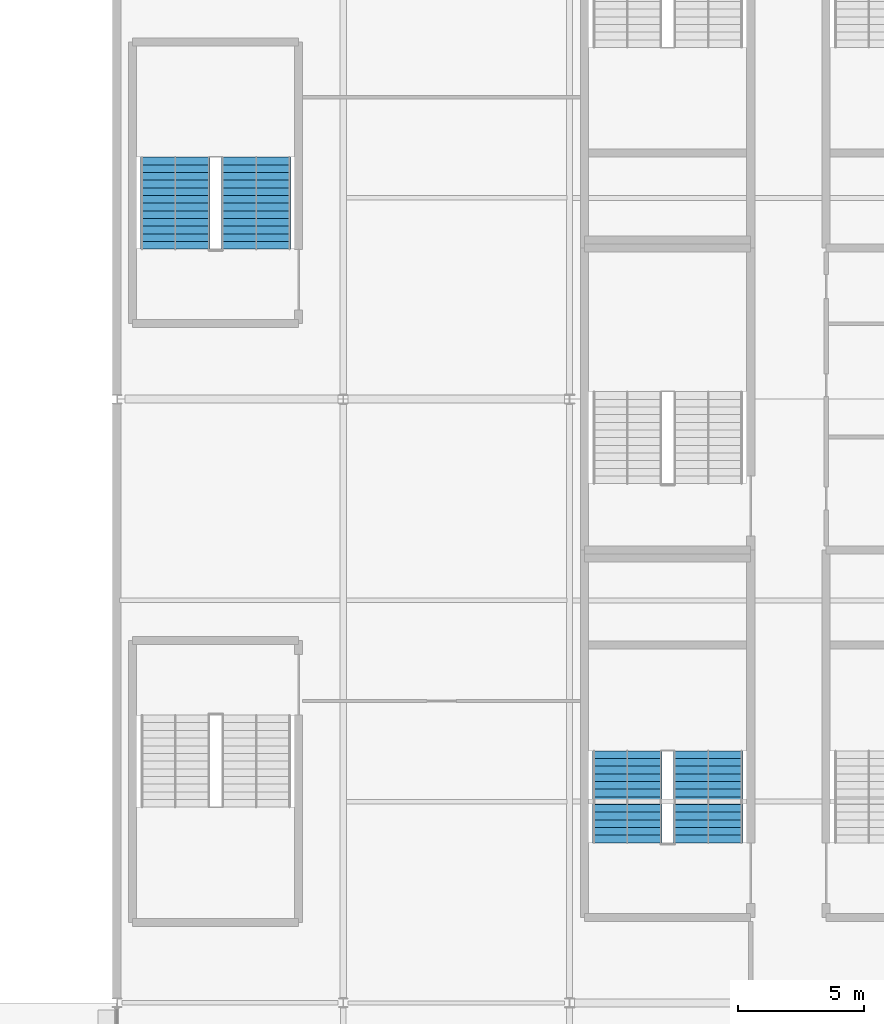
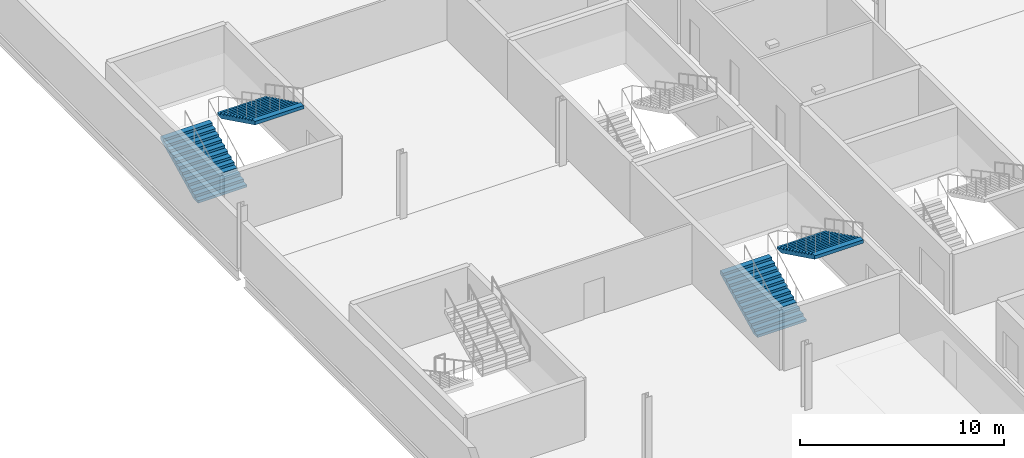
# One storey, part 93 of 105: 4 stair flights, 2 elements without a shape of their own.
"""IFC4 building model written with IfcOpenShell, lengths in metres."""

from ifc_helpers import new_model, si_unit, direction, frame, origin, place, context, subcontext, project, spatial, polygons, material, type_object, element, aggregate, save


model = new_model("IFC4")

# Units and contexts
model_context = context("Model", 3, precision=1e-05, world=origin(), true_north=direction((0.0, 1.0)))
body_context = subcontext(model_context, "Body", "Model", "MODEL_VIEW")
ifc_project = project(units=[si_unit("LENGTHUNIT", "METRE"), si_unit("AREAUNIT", "SQUARE_METRE"), si_unit("VOLUMEUNIT", "CUBIC_METRE"), si_unit("PLANEANGLEUNIT", "RADIAN"), si_unit("MASSUNIT", "GRAM", prefix="KILO")], contexts=[model_context])

# Site, building, storey
site_placement = place(None, origin())
site = spatial("IfcSite", under=ifc_project, at=site_placement, CompositionType="ELEMENT")
building_placement = place(site_placement, origin())
building = spatial("IfcBuilding", under=site, at=building_placement, Name="Kisiwana Market Hall", CompositionType="ELEMENT")
storey_placement = place(building_placement, frame((0.0, 0.0, 21.60009765625)))
storey = spatial("IfcBuildingStorey", under=building, at=storey_placement, Name="L04", CompositionType="ELEMENT", Elevation=21.60009765625)

# Stair, stair flights
ifc_material_1 = material(Name="Concrete C32/40", Category="concrete")
stair_type = type_object("IfcStairType", Name="ST-ESC-3900", PredefinedType="TWO_STRAIGHT_RUN_STAIR", material=ifc_material_1)
stair_1_placement = place(storey_placement, origin())
stair_1 = element("IfcStair", 1, at=stair_1_placement, inside=storey, type_object=stair_type, Name="Escape stair ST-E7-L04", PredefinedType="TWO_STRAIGHT_RUN_STAIR")
ifc_material_2 = material(Name="Concrete C32/40", Category="concrete")
stair_flight_type = type_object("IfcStairFlightType", Name="SF-ESC-3900", PredefinedType="STRAIGHT", material=ifc_material_2)
stair_flight_1_placement = place(storey_placement, frame((173.2900390625, 42.360107421875, 0.0), z_axis=(0.0, 0.0, 1.0), x_axis=(0.0, 1.0, 0.0)))
stair_flight_1 = element("IfcStairFlight", 2, at=stair_flight_1_placement, type_object=stair_flight_type, Name="ST-E7-L04 flight 1", NumberOfRisers=13, NumberOfTreads=12, PredefinedType="STRAIGHT", RiserHeight=0.15, TreadLength=0.305, context=body_context, shape_type="Tessellation", body=[
    polygons([(0.0, -1.380127, 0.0), (0.0, -0.690125, 0.0), (0.0, -0.000122, 0.0), (0.0, 0.68988, 0.0), (0.0, 1.379883, 0.0), (0.0, -1.380127, 0.149902), (0.0, -0.690125, 0.149902), (0.0, -0.000122, 0.149902), (0.0, 0.68988, 0.149902), (0.0, 1.379883, 0.149902), (0.304932, -1.380127, 0.149902), (0.304932, -0.690125, 0.149902), (0.304932, -0.000122, 0.149902), (0.304932, 0.68988, 0.149902), (0.304932, 1.379883, 0.149902), (0.304932, -1.380127, 0.300049), (0.304932, -0.690125, 0.300049), (0.304932, -0.000122, 0.300049), (0.304932, 0.68988, 0.300049), (0.304932, 1.379883, 0.300049), (0.610107, -1.380127, 0.300049), (0.610107, -0.690125, 0.300049), (0.610107, -0.000122, 0.300049), (0.610107, 0.68988, 0.300049), (0.610107, 1.379883, 0.300049), (0.610107, -1.380127, 0.449951), (0.610107, -0.690125, 0.449951), (0.610107, -0.000122, 0.449951), (0.610107, 0.68988, 0.449951), (0.610107, 1.379883, 0.449951), (0.915039, -1.380127, 0.449951), (0.915039, -0.690125, 0.449951), (0.915039, -0.000122, 0.449951), (0.915039, 0.68988, 0.449951), (0.915039, 1.379883, 0.449951), (0.915039, -1.380127, 0.600098), (0.915039, -0.690125, 0.600098), (0.915039, -0.000122, 0.600098), (0.915039, 0.68988, 0.600098), (0.915039, 1.379883, 0.600098), (1.219971, -1.380127, 0.600098), (1.219971, -0.690125, 0.600098), (1.219971, -0.000122, 0.600098), (1.219971, 0.68988, 0.600098), (1.219971, 1.379883, 0.600098), (1.219971, -1.380127, 0.75), (1.219971, -0.690125, 0.75), (1.219971, -0.000122, 0.75), (1.219971, 0.68988, 0.75), (1.219971, 1.379883, 0.75), (1.524902, -1.380127, 0.75), (1.524902, -0.690125, 0.75), (1.524902, -0.000122, 0.75), (1.524902, 0.68988, 0.75), (1.524902, 1.379883, 0.75), (1.524902, -1.380127, 0.899902), (1.524902, -0.690125, 0.899902), (1.524902, -0.000122, 0.899902), (1.524902, 0.68988, 0.899902), (1.524902, 1.379883, 0.899902), (1.830078, -1.380127, 0.899902), (1.830078, -0.690125, 0.899902), (1.830078, -0.000122, 0.899902), (1.830078, 0.68988, 0.899902), (1.830078, 1.379883, 0.899902), (1.830078, -1.380127, 1.050049), (1.830078, -0.690125, 1.050049), (1.830078, -0.000122, 1.050049), (1.830078, 0.68988, 1.050049), (1.830078, 1.379883, 1.050049), (2.13501, -1.380127, 1.050049), (2.13501, -0.690125, 1.050049), (2.13501, -0.000122, 1.050049), (2.13501, 0.68988, 1.050049), (2.13501, 1.379883, 1.050049), (2.13501, -1.380127, 1.199951), (2.13501, -0.690125, 1.199951), (2.13501, -0.000122, 1.199951), (2.13501, 0.68988, 1.199951), (2.13501, 1.379883, 1.199951), (2.439941, -1.380127, 1.199951), (2.439941, -0.690125, 1.199951), (2.439941, -0.000122, 1.199951), (2.439941, 0.68988, 1.199951), (2.439941, 1.379883, 1.199951), (2.439941, -1.380127, 1.350098), (2.439941, -0.690125, 1.350098), (2.439941, -0.000122, 1.350098), (2.439941, 0.68988, 1.350098), (2.439941, 1.379883, 1.350098), (2.745117, -1.380127, 1.350098), (2.745117, -0.690125, 1.350098), (2.745117, -0.000122, 1.350098), (2.745117, 0.68988, 1.350098), (2.745117, 1.379883, 1.350098), (2.745117, -1.380127, 1.5), (2.745117, -0.690125, 1.5), (2.745117, -0.000122, 1.5), (2.745117, 0.68988, 1.5), (2.745117, 1.379883, 1.5), (3.050049, -1.380127, 1.5), (3.050049, -0.690125, 1.5), (3.050049, -0.000122, 1.5), (3.050049, 0.68988, 1.5), (3.050049, 1.379883, 1.5), (3.050049, -1.380127, 1.649902), (3.050049, -0.690125, 1.649902), (3.050049, -0.000122, 1.649902), (3.050049, 0.68988, 1.649902), (3.050049, 1.379883, 1.649902), (3.35498, -1.380127, 1.649902), (3.35498, -0.690125, 1.649902), (3.35498, -0.000122, 1.649902), (3.35498, 0.68988, 1.649902), (3.35498, 1.379883, 1.649902), (3.35498, -1.380127, 1.800049), (3.35498, -0.690125, 1.800049), (3.35498, -0.000122, 1.800049), (3.35498, 0.68988, 1.800049), (3.35498, 1.379883, 1.800049), (3.659912, -1.380127, 1.800049), (3.659912, -0.690125, 1.800049), (3.659912, -0.000122, 1.800049), (3.659912, 0.68988, 1.800049), (3.659912, 1.379883, 1.800049), (3.659912, -1.380127, 1.599365), (3.659912, -0.690125, 1.599365), (3.659912, -0.000122, 1.599365), (3.659912, 0.68988, 1.599365), (3.659912, 1.379883, 1.599365), (0.407715, -1.380127, 0.0), (0.407715, -0.690125, 0.0), (0.407715, -0.000122, 0.0), (0.407715, 0.68988, 0.0), (0.407715, 1.379883, 0.0)], [[[1, 6, 7, 2]], [[2, 7, 8, 3]], [[3, 8, 9, 4]], [[4, 9, 10, 5]], [[6, 11, 12, 7]], [[7, 12, 13, 8]], [[8, 13, 14, 9]], [[9, 14, 15, 10]], [[11, 16, 17, 12]], [[12, 17, 18, 13]], [[13, 18, 19, 14]], [[14, 19, 20, 15]], [[16, 21, 22, 17]], [[17, 22, 23, 18]], [[18, 23, 24, 19]], [[19, 24, 25, 20]], [[21, 26, 27, 22]], [[22, 27, 28, 23]], [[23, 28, 29, 24]], [[24, 29, 30, 25]], [[26, 31, 32, 27]], [[27, 32, 33, 28]], [[28, 33, 34, 29]], [[29, 34, 35, 30]], [[31, 36, 37, 32]], [[32, 37, 38, 33]], [[33, 38, 39, 34]], [[34, 39, 40, 35]], [[36, 41, 42, 37]], [[37, 42, 43, 38]], [[38, 43, 44, 39]], [[39, 44, 45, 40]], [[41, 46, 47, 42]], [[42, 47, 48, 43]], [[43, 48, 49, 44]], [[44, 49, 50, 45]], [[46, 51, 52, 47]], [[47, 52, 53, 48]], [[48, 53, 54, 49]], [[49, 54, 55, 50]], [[51, 56, 57, 52]], [[52, 57, 58, 53]], [[53, 58, 59, 54]], [[54, 59, 60, 55]], [[56, 61, 62, 57]], [[57, 62, 63, 58]], [[58, 63, 64, 59]], [[59, 64, 65, 60]], [[61, 66, 67, 62]], [[62, 67, 68, 63]], [[63, 68, 69, 64]], [[64, 69, 70, 65]], [[66, 71, 72, 67]], [[67, 72, 73, 68]], [[68, 73, 74, 69]], [[69, 74, 75, 70]], [[71, 76, 77, 72]], [[72, 77, 78, 73]], [[73, 78, 79, 74]], [[74, 79, 80, 75]], [[76, 81, 82, 77]], [[77, 82, 83, 78]], [[78, 83, 84, 79]], [[79, 84, 85, 80]], [[81, 86, 87, 82]], [[82, 87, 88, 83]], [[83, 88, 89, 84]], [[84, 89, 90, 85]], [[86, 91, 92, 87]], [[87, 92, 93, 88]], [[88, 93, 94, 89]], [[89, 94, 95, 90]], [[91, 96, 97, 92]], [[92, 97, 98, 93]], [[93, 98, 99, 94]], [[94, 99, 100, 95]], [[96, 101, 102, 97]], [[97, 102, 103, 98]], [[98, 103, 104, 99]], [[99, 104, 105, 100]], [[101, 106, 107, 102]], [[102, 107, 108, 103]], [[103, 108, 109, 104]], [[104, 109, 110, 105]], [[106, 111, 112, 107]], [[107, 112, 113, 108]], [[108, 113, 114, 109]], [[109, 114, 115, 110]], [[111, 116, 117, 112]], [[112, 117, 118, 113]], [[113, 118, 119, 114]], [[114, 119, 120, 115]], [[116, 121, 122, 117]], [[117, 122, 123, 118]], [[118, 123, 124, 119]], [[119, 124, 125, 120]], [[121, 126, 127, 122]], [[122, 127, 128, 123]], [[123, 128, 129, 124]], [[124, 129, 130, 125]], [[126, 131, 132, 127]], [[127, 132, 133, 128]], [[128, 133, 134, 129]], [[129, 134, 135, 130]], [[131, 1, 2, 132]], [[132, 2, 3, 133]], [[133, 3, 4, 134]], [[134, 4, 5, 135]], [[131, 126, 121, 116, 111, 106, 101, 96, 91, 86, 81, 76, 71, 66, 61, 56, 51, 46, 41, 36, 31, 26, 21, 16, 11, 6, 1]], [[5, 10, 15, 20, 25, 30, 35, 40, 45, 50, 55, 60, 65, 70, 75, 80, 85, 90, 95, 100, 105, 110, 115, 120, 125, 130, 135]]], closed=True),
])
stair_flight_2_placement = place(storey_placement, frame((176.510009765625, 46.02001953125, 1.949951171875), z_axis=(0.0, 0.0, 1.0), x_axis=(0.0, -1.0, 0.0)))
stair_flight_2 = element("IfcStairFlight", 3, at=stair_flight_2_placement, type_object=stair_flight_type, Name="ST-E7-L04 flight 2", NumberOfRisers=13, NumberOfTreads=12, PredefinedType="STRAIGHT", RiserHeight=0.15, TreadLength=0.305, context=body_context, shape_type="Tessellation", body=[
    polygons([(0.0, -1.380127, 0.0), (0.0, -0.690125, 0.0), (0.0, -0.000122, 0.0), (0.0, 0.68988, 0.0), (0.0, 1.379883, 0.0), (0.0, -1.380127, 0.149902), (0.0, -0.690125, 0.149902), (0.0, -0.000122, 0.149902), (0.0, 0.68988, 0.149902), (0.0, 1.379883, 0.149902), (0.304932, -1.380127, 0.149902), (0.304932, -0.690125, 0.149902), (0.304932, -0.000122, 0.149902), (0.304932, 0.68988, 0.149902), (0.304932, 1.379883, 0.149902), (0.304932, -1.380127, 0.300049), (0.304932, -0.690125, 0.300049), (0.304932, -0.000122, 0.300049), (0.304932, 0.68988, 0.300049), (0.304932, 1.379883, 0.300049), (0.610107, -1.380127, 0.300049), (0.610107, -0.690125, 0.300049), (0.610107, -0.000122, 0.300049), (0.610107, 0.68988, 0.300049), (0.610107, 1.379883, 0.300049), (0.610107, -1.380127, 0.449951), (0.610107, -0.690125, 0.449951), (0.610107, -0.000122, 0.449951), (0.610107, 0.68988, 0.449951), (0.610107, 1.379883, 0.449951), (0.915039, -1.380127, 0.449951), (0.915039, -0.690125, 0.449951), (0.915039, -0.000122, 0.449951), (0.915039, 0.68988, 0.449951), (0.915039, 1.379883, 0.449951), (0.915039, -1.380127, 0.600098), (0.915039, -0.690125, 0.600098), (0.915039, -0.000122, 0.600098), (0.915039, 0.68988, 0.600098), (0.915039, 1.379883, 0.600098), (1.219971, -1.380127, 0.600098), (1.219971, -0.690125, 0.600098), (1.219971, -0.000122, 0.600098), (1.219971, 0.68988, 0.600098), (1.219971, 1.379883, 0.600098), (1.219971, -1.380127, 0.75), (1.219971, -0.690125, 0.75), (1.219971, -0.000122, 0.75), (1.219971, 0.68988, 0.75), (1.219971, 1.379883, 0.75), (1.524902, -1.380127, 0.75), (1.524902, -0.690125, 0.75), (1.524902, -0.000122, 0.75), (1.524902, 0.68988, 0.75), (1.524902, 1.379883, 0.75), (1.524902, -1.380127, 0.899902), (1.524902, -0.690125, 0.899902), (1.524902, -0.000122, 0.899902), (1.524902, 0.68988, 0.899902), (1.524902, 1.379883, 0.899902), (1.830078, -1.380127, 0.899902), (1.830078, -0.690125, 0.899902), (1.830078, -0.000122, 0.899902), (1.830078, 0.68988, 0.899902), (1.830078, 1.379883, 0.899902), (1.830078, -1.380127, 1.050049), (1.830078, -0.690125, 1.050049), (1.830078, -0.000122, 1.050049), (1.830078, 0.68988, 1.050049), (1.830078, 1.379883, 1.050049), (2.13501, -1.380127, 1.050049), (2.13501, -0.690125, 1.050049), (2.13501, -0.000122, 1.050049), (2.13501, 0.68988, 1.050049), (2.13501, 1.379883, 1.050049), (2.13501, -1.380127, 1.199951), (2.13501, -0.690125, 1.199951), (2.13501, -0.000122, 1.199951), (2.13501, 0.68988, 1.199951), (2.13501, 1.379883, 1.199951), (2.439941, -1.380127, 1.199951), (2.439941, -0.690125, 1.199951), (2.439941, -0.000122, 1.199951), (2.439941, 0.68988, 1.199951), (2.439941, 1.379883, 1.199951), (2.439941, -1.380127, 1.350098), (2.439941, -0.690125, 1.350098), (2.439941, -0.000122, 1.350098), (2.439941, 0.68988, 1.350098), (2.439941, 1.379883, 1.350098), (2.745117, -1.380127, 1.350098), (2.745117, -0.690125, 1.350098), (2.745117, -0.000122, 1.350098), (2.745117, 0.68988, 1.350098), (2.745117, 1.379883, 1.350098), (2.745117, -1.380127, 1.5), (2.745117, -0.690125, 1.5), (2.745117, -0.000122, 1.5), (2.745117, 0.68988, 1.5), (2.745117, 1.379883, 1.5), (3.050049, -1.380127, 1.5), (3.050049, -0.690125, 1.5), (3.050049, -0.000122, 1.5), (3.050049, 0.68988, 1.5), (3.050049, 1.379883, 1.5), (3.050049, -1.380127, 1.649902), (3.050049, -0.690125, 1.649902), (3.050049, -0.000122, 1.649902), (3.050049, 0.68988, 1.649902), (3.050049, 1.379883, 1.649902), (3.35498, -1.380127, 1.649902), (3.35498, -0.690125, 1.649902), (3.35498, -0.000122, 1.649902), (3.35498, 0.68988, 1.649902), (3.35498, 1.379883, 1.649902), (3.35498, -1.380127, 1.800049), (3.35498, -0.690125, 1.800049), (3.35498, -0.000122, 1.800049), (3.35498, 0.68988, 1.800049), (3.35498, 1.379883, 1.800049), (3.659912, -1.380127, 1.800049), (3.659912, -0.690125, 1.800049), (3.659912, -0.000122, 1.800049), (3.659912, 0.68988, 1.800049), (3.659912, 1.379883, 1.800049), (3.659912, -1.380127, 1.599365), (3.659912, -0.690125, 1.599365), (3.659912, -0.000122, 1.599365), (3.659912, 0.68988, 1.599365), (3.659912, 1.379883, 1.599365), (0.407715, -1.380127, 0.0), (0.407715, -0.690125, 0.0), (0.407715, -0.000122, 0.0), (0.407715, 0.68988, 0.0), (0.407715, 1.379883, 0.0)], [[[1, 6, 7, 2]], [[2, 7, 8, 3]], [[3, 8, 9, 4]], [[4, 9, 10, 5]], [[6, 11, 12, 7]], [[7, 12, 13, 8]], [[8, 13, 14, 9]], [[9, 14, 15, 10]], [[11, 16, 17, 12]], [[12, 17, 18, 13]], [[13, 18, 19, 14]], [[14, 19, 20, 15]], [[16, 21, 22, 17]], [[17, 22, 23, 18]], [[18, 23, 24, 19]], [[19, 24, 25, 20]], [[21, 26, 27, 22]], [[22, 27, 28, 23]], [[23, 28, 29, 24]], [[24, 29, 30, 25]], [[26, 31, 32, 27]], [[27, 32, 33, 28]], [[28, 33, 34, 29]], [[29, 34, 35, 30]], [[31, 36, 37, 32]], [[32, 37, 38, 33]], [[33, 38, 39, 34]], [[34, 39, 40, 35]], [[36, 41, 42, 37]], [[37, 42, 43, 38]], [[38, 43, 44, 39]], [[39, 44, 45, 40]], [[41, 46, 47, 42]], [[42, 47, 48, 43]], [[43, 48, 49, 44]], [[44, 49, 50, 45]], [[46, 51, 52, 47]], [[47, 52, 53, 48]], [[48, 53, 54, 49]], [[49, 54, 55, 50]], [[51, 56, 57, 52]], [[52, 57, 58, 53]], [[53, 58, 59, 54]], [[54, 59, 60, 55]], [[56, 61, 62, 57]], [[57, 62, 63, 58]], [[58, 63, 64, 59]], [[59, 64, 65, 60]], [[61, 66, 67, 62]], [[62, 67, 68, 63]], [[63, 68, 69, 64]], [[64, 69, 70, 65]], [[66, 71, 72, 67]], [[67, 72, 73, 68]], [[68, 73, 74, 69]], [[69, 74, 75, 70]], [[71, 76, 77, 72]], [[72, 77, 78, 73]], [[73, 78, 79, 74]], [[74, 79, 80, 75]], [[76, 81, 82, 77]], [[77, 82, 83, 78]], [[78, 83, 84, 79]], [[79, 84, 85, 80]], [[81, 86, 87, 82]], [[82, 87, 88, 83]], [[83, 88, 89, 84]], [[84, 89, 90, 85]], [[86, 91, 92, 87]], [[87, 92, 93, 88]], [[88, 93, 94, 89]], [[89, 94, 95, 90]], [[91, 96, 97, 92]], [[92, 97, 98, 93]], [[93, 98, 99, 94]], [[94, 99, 100, 95]], [[96, 101, 102, 97]], [[97, 102, 103, 98]], [[98, 103, 104, 99]], [[99, 104, 105, 100]], [[101, 106, 107, 102]], [[102, 107, 108, 103]], [[103, 108, 109, 104]], [[104, 109, 110, 105]], [[106, 111, 112, 107]], [[107, 112, 113, 108]], [[108, 113, 114, 109]], [[109, 114, 115, 110]], [[111, 116, 117, 112]], [[112, 117, 118, 113]], [[113, 118, 119, 114]], [[114, 119, 120, 115]], [[116, 121, 122, 117]], [[117, 122, 123, 118]], [[118, 123, 124, 119]], [[119, 124, 125, 120]], [[121, 126, 127, 122]], [[122, 127, 128, 123]], [[123, 128, 129, 124]], [[124, 129, 130, 125]], [[126, 131, 132, 127]], [[127, 132, 133, 128]], [[128, 133, 134, 129]], [[129, 134, 135, 130]], [[131, 1, 2, 132]], [[132, 2, 3, 133]], [[133, 3, 4, 134]], [[134, 4, 5, 135]], [[131, 126, 121, 116, 111, 106, 101, 96, 91, 86, 81, 76, 71, 66, 61, 56, 51, 46, 41, 36, 31, 26, 21, 16, 11, 6, 1]], [[5, 10, 15, 20, 25, 30, 35, 40, 45, 50, 55, 60, 65, 70, 75, 80, 85, 90, 95, 100, 105, 110, 115, 120, 125, 130, 135]]], closed=True),
])
aggregate(stair_1, [stair_flight_1, stair_flight_2])

stair_2_placement = place(storey_placement, origin())
stair_2 = element("IfcStair", 4, at=stair_2_placement, inside=storey, type_object=stair_type, Name="Escape stair ST-E10-L04", PredefinedType="TWO_STRAIGHT_RUN_STAIR")
stair_flight_3_placement = place(storey_placement, frame((155.320068359375, 65.9599609375, 0.0), z_axis=(0.0, 0.0, 1.0), x_axis=(0.0, 1.0, 0.0)))
stair_flight_3 = element("IfcStairFlight", 5, at=stair_flight_3_placement, type_object=stair_flight_type, Name="ST-E10-L04 flight 1", NumberOfRisers=13, NumberOfTreads=12, PredefinedType="STRAIGHT", RiserHeight=0.15, TreadLength=0.305, context=body_context, shape_type="Tessellation", body=[
    polygons([(0.0, -1.380127, 0.0), (0.0, -0.690125, 0.0), (0.0, -0.000122, 0.0), (0.0, 0.68988, 0.0), (0.0, 1.379883, 0.0), (0.0, -1.380127, 0.149902), (0.0, -0.690125, 0.149902), (0.0, -0.000122, 0.149902), (0.0, 0.68988, 0.149902), (0.0, 1.379883, 0.149902), (0.304932, -1.380127, 0.149902), (0.304932, -0.690125, 0.149902), (0.304932, -0.000122, 0.149902), (0.304932, 0.68988, 0.149902), (0.304932, 1.379883, 0.149902), (0.304932, -1.380127, 0.300049), (0.304932, -0.690125, 0.300049), (0.304932, -0.000122, 0.300049), (0.304932, 0.68988, 0.300049), (0.304932, 1.379883, 0.300049), (0.610107, -1.380127, 0.300049), (0.610107, -0.690125, 0.300049), (0.610107, -0.000122, 0.300049), (0.610107, 0.68988, 0.300049), (0.610107, 1.379883, 0.300049), (0.610107, -1.380127, 0.449951), (0.610107, -0.690125, 0.449951), (0.610107, -0.000122, 0.449951), (0.610107, 0.68988, 0.449951), (0.610107, 1.379883, 0.449951), (0.915039, -1.380127, 0.449951), (0.915039, -0.690125, 0.449951), (0.915039, -0.000122, 0.449951), (0.915039, 0.68988, 0.449951), (0.915039, 1.379883, 0.449951), (0.915039, -1.380127, 0.600098), (0.915039, -0.690125, 0.600098), (0.915039, -0.000122, 0.600098), (0.915039, 0.68988, 0.600098), (0.915039, 1.379883, 0.600098), (1.219971, -1.380127, 0.600098), (1.219971, -0.690125, 0.600098), (1.219971, -0.000122, 0.600098), (1.219971, 0.68988, 0.600098), (1.219971, 1.379883, 0.600098), (1.219971, -1.380127, 0.75), (1.219971, -0.690125, 0.75), (1.219971, -0.000122, 0.75), (1.219971, 0.68988, 0.75), (1.219971, 1.379883, 0.75), (1.524902, -1.380127, 0.75), (1.524902, -0.690125, 0.75), (1.524902, -0.000122, 0.75), (1.524902, 0.68988, 0.75), (1.524902, 1.379883, 0.75), (1.524902, -1.380127, 0.899902), (1.524902, -0.690125, 0.899902), (1.524902, -0.000122, 0.899902), (1.524902, 0.68988, 0.899902), (1.524902, 1.379883, 0.899902), (1.830078, -1.380127, 0.899902), (1.830078, -0.690125, 0.899902), (1.830078, -0.000122, 0.899902), (1.830078, 0.68988, 0.899902), (1.830078, 1.379883, 0.899902), (1.830078, -1.380127, 1.050049), (1.830078, -0.690125, 1.050049), (1.830078, -0.000122, 1.050049), (1.830078, 0.68988, 1.050049), (1.830078, 1.379883, 1.050049), (2.13501, -1.380127, 1.050049), (2.13501, -0.690125, 1.050049), (2.13501, -0.000122, 1.050049), (2.13501, 0.68988, 1.050049), (2.13501, 1.379883, 1.050049), (2.13501, -1.380127, 1.199951), (2.13501, -0.690125, 1.199951), (2.13501, -0.000122, 1.199951), (2.13501, 0.68988, 1.199951), (2.13501, 1.379883, 1.199951), (2.439941, -1.380127, 1.199951), (2.439941, -0.690125, 1.199951), (2.439941, -0.000122, 1.199951), (2.439941, 0.68988, 1.199951), (2.439941, 1.379883, 1.199951), (2.439941, -1.380127, 1.350098), (2.439941, -0.690125, 1.350098), (2.439941, -0.000122, 1.350098), (2.439941, 0.68988, 1.350098), (2.439941, 1.379883, 1.350098), (2.745117, -1.380127, 1.350098), (2.745117, -0.690125, 1.350098), (2.745117, -0.000122, 1.350098), (2.745117, 0.68988, 1.350098), (2.745117, 1.379883, 1.350098), (2.745117, -1.380127, 1.5), (2.745117, -0.690125, 1.5), (2.745117, -0.000122, 1.5), (2.745117, 0.68988, 1.5), (2.745117, 1.379883, 1.5), (3.050049, -1.380127, 1.5), (3.050049, -0.690125, 1.5), (3.050049, -0.000122, 1.5), (3.050049, 0.68988, 1.5), (3.050049, 1.379883, 1.5), (3.050049, -1.380127, 1.649902), (3.050049, -0.690125, 1.649902), (3.050049, -0.000122, 1.649902), (3.050049, 0.68988, 1.649902), (3.050049, 1.379883, 1.649902), (3.35498, -1.380127, 1.649902), (3.35498, -0.690125, 1.649902), (3.35498, -0.000122, 1.649902), (3.35498, 0.68988, 1.649902), (3.35498, 1.379883, 1.649902), (3.35498, -1.380127, 1.800049), (3.35498, -0.690125, 1.800049), (3.35498, -0.000122, 1.800049), (3.35498, 0.68988, 1.800049), (3.35498, 1.379883, 1.800049), (3.659912, -1.380127, 1.800049), (3.659912, -0.690125, 1.800049), (3.659912, -0.000122, 1.800049), (3.659912, 0.68988, 1.800049), (3.659912, 1.379883, 1.800049), (3.659912, -1.380127, 1.599365), (3.659912, -0.690125, 1.599365), (3.659912, -0.000122, 1.599365), (3.659912, 0.68988, 1.599365), (3.659912, 1.379883, 1.599365), (0.407715, -1.380127, 0.0), (0.407715, -0.690125, 0.0), (0.407715, -0.000122, 0.0), (0.407715, 0.68988, 0.0), (0.407715, 1.379883, 0.0)], [[[1, 6, 7, 2]], [[2, 7, 8, 3]], [[3, 8, 9, 4]], [[4, 9, 10, 5]], [[6, 11, 12, 7]], [[7, 12, 13, 8]], [[8, 13, 14, 9]], [[9, 14, 15, 10]], [[11, 16, 17, 12]], [[12, 17, 18, 13]], [[13, 18, 19, 14]], [[14, 19, 20, 15]], [[16, 21, 22, 17]], [[17, 22, 23, 18]], [[18, 23, 24, 19]], [[19, 24, 25, 20]], [[21, 26, 27, 22]], [[22, 27, 28, 23]], [[23, 28, 29, 24]], [[24, 29, 30, 25]], [[26, 31, 32, 27]], [[27, 32, 33, 28]], [[28, 33, 34, 29]], [[29, 34, 35, 30]], [[31, 36, 37, 32]], [[32, 37, 38, 33]], [[33, 38, 39, 34]], [[34, 39, 40, 35]], [[36, 41, 42, 37]], [[37, 42, 43, 38]], [[38, 43, 44, 39]], [[39, 44, 45, 40]], [[41, 46, 47, 42]], [[42, 47, 48, 43]], [[43, 48, 49, 44]], [[44, 49, 50, 45]], [[46, 51, 52, 47]], [[47, 52, 53, 48]], [[48, 53, 54, 49]], [[49, 54, 55, 50]], [[51, 56, 57, 52]], [[52, 57, 58, 53]], [[53, 58, 59, 54]], [[54, 59, 60, 55]], [[56, 61, 62, 57]], [[57, 62, 63, 58]], [[58, 63, 64, 59]], [[59, 64, 65, 60]], [[61, 66, 67, 62]], [[62, 67, 68, 63]], [[63, 68, 69, 64]], [[64, 69, 70, 65]], [[66, 71, 72, 67]], [[67, 72, 73, 68]], [[68, 73, 74, 69]], [[69, 74, 75, 70]], [[71, 76, 77, 72]], [[72, 77, 78, 73]], [[73, 78, 79, 74]], [[74, 79, 80, 75]], [[76, 81, 82, 77]], [[77, 82, 83, 78]], [[78, 83, 84, 79]], [[79, 84, 85, 80]], [[81, 86, 87, 82]], [[82, 87, 88, 83]], [[83, 88, 89, 84]], [[84, 89, 90, 85]], [[86, 91, 92, 87]], [[87, 92, 93, 88]], [[88, 93, 94, 89]], [[89, 94, 95, 90]], [[91, 96, 97, 92]], [[92, 97, 98, 93]], [[93, 98, 99, 94]], [[94, 99, 100, 95]], [[96, 101, 102, 97]], [[97, 102, 103, 98]], [[98, 103, 104, 99]], [[99, 104, 105, 100]], [[101, 106, 107, 102]], [[102, 107, 108, 103]], [[103, 108, 109, 104]], [[104, 109, 110, 105]], [[106, 111, 112, 107]], [[107, 112, 113, 108]], [[108, 113, 114, 109]], [[109, 114, 115, 110]], [[111, 116, 117, 112]], [[112, 117, 118, 113]], [[113, 118, 119, 114]], [[114, 119, 120, 115]], [[116, 121, 122, 117]], [[117, 122, 123, 118]], [[118, 123, 124, 119]], [[119, 124, 125, 120]], [[121, 126, 127, 122]], [[122, 127, 128, 123]], [[123, 128, 129, 124]], [[124, 129, 130, 125]], [[126, 131, 132, 127]], [[127, 132, 133, 128]], [[128, 133, 134, 129]], [[129, 134, 135, 130]], [[131, 1, 2, 132]], [[132, 2, 3, 133]], [[133, 3, 4, 134]], [[134, 4, 5, 135]], [[131, 126, 121, 116, 111, 106, 101, 96, 91, 86, 81, 76, 71, 66, 61, 56, 51, 46, 41, 36, 31, 26, 21, 16, 11, 6, 1]], [[5, 10, 15, 20, 25, 30, 35, 40, 45, 50, 55, 60, 65, 70, 75, 80, 85, 90, 95, 100, 105, 110, 115, 120, 125, 130, 135]]], closed=True),
])
stair_flight_4_placement = place(storey_placement, frame((158.5400390625, 69.6201171875, 1.949951171875), z_axis=(0.0, 0.0, 1.0), x_axis=(0.0, -1.0, 0.0)))
stair_flight_4 = element("IfcStairFlight", 6, at=stair_flight_4_placement, type_object=stair_flight_type, Name="ST-E10-L04 flight 2", NumberOfRisers=13, NumberOfTreads=12, PredefinedType="STRAIGHT", RiserHeight=0.15, TreadLength=0.305, context=body_context, shape_type="Tessellation", body=[
    polygons([(0.0, -1.380127, 0.0), (0.0, -0.690125, 0.0), (0.0, -0.000122, 0.0), (0.0, 0.68988, 0.0), (0.0, 1.379883, 0.0), (0.0, -1.380127, 0.149902), (0.0, -0.690125, 0.149902), (0.0, -0.000122, 0.149902), (0.0, 0.68988, 0.149902), (0.0, 1.379883, 0.149902), (0.304932, -1.380127, 0.149902), (0.304932, -0.690125, 0.149902), (0.304932, -0.000122, 0.149902), (0.304932, 0.68988, 0.149902), (0.304932, 1.379883, 0.149902), (0.304932, -1.380127, 0.300049), (0.304932, -0.690125, 0.300049), (0.304932, -0.000122, 0.300049), (0.304932, 0.68988, 0.300049), (0.304932, 1.379883, 0.300049), (0.610107, -1.380127, 0.300049), (0.610107, -0.690125, 0.300049), (0.610107, -0.000122, 0.300049), (0.610107, 0.68988, 0.300049), (0.610107, 1.379883, 0.300049), (0.610107, -1.380127, 0.449951), (0.610107, -0.690125, 0.449951), (0.610107, -0.000122, 0.449951), (0.610107, 0.68988, 0.449951), (0.610107, 1.379883, 0.449951), (0.915039, -1.380127, 0.449951), (0.915039, -0.690125, 0.449951), (0.915039, -0.000122, 0.449951), (0.915039, 0.68988, 0.449951), (0.915039, 1.379883, 0.449951), (0.915039, -1.380127, 0.600098), (0.915039, -0.690125, 0.600098), (0.915039, -0.000122, 0.600098), (0.915039, 0.68988, 0.600098), (0.915039, 1.379883, 0.600098), (1.219971, -1.380127, 0.600098), (1.219971, -0.690125, 0.600098), (1.219971, -0.000122, 0.600098), (1.219971, 0.68988, 0.600098), (1.219971, 1.379883, 0.600098), (1.219971, -1.380127, 0.75), (1.219971, -0.690125, 0.75), (1.219971, -0.000122, 0.75), (1.219971, 0.68988, 0.75), (1.219971, 1.379883, 0.75), (1.524902, -1.380127, 0.75), (1.524902, -0.690125, 0.75), (1.524902, -0.000122, 0.75), (1.524902, 0.68988, 0.75), (1.524902, 1.379883, 0.75), (1.524902, -1.380127, 0.899902), (1.524902, -0.690125, 0.899902), (1.524902, -0.000122, 0.899902), (1.524902, 0.68988, 0.899902), (1.524902, 1.379883, 0.899902), (1.830078, -1.380127, 0.899902), (1.830078, -0.690125, 0.899902), (1.830078, -0.000122, 0.899902), (1.830078, 0.68988, 0.899902), (1.830078, 1.379883, 0.899902), (1.830078, -1.380127, 1.050049), (1.830078, -0.690125, 1.050049), (1.830078, -0.000122, 1.050049), (1.830078, 0.68988, 1.050049), (1.830078, 1.379883, 1.050049), (2.13501, -1.380127, 1.050049), (2.13501, -0.690125, 1.050049), (2.13501, -0.000122, 1.050049), (2.13501, 0.68988, 1.050049), (2.13501, 1.379883, 1.050049), (2.13501, -1.380127, 1.199951), (2.13501, -0.690125, 1.199951), (2.13501, -0.000122, 1.199951), (2.13501, 0.68988, 1.199951), (2.13501, 1.379883, 1.199951), (2.439941, -1.380127, 1.199951), (2.439941, -0.690125, 1.199951), (2.439941, -0.000122, 1.199951), (2.439941, 0.68988, 1.199951), (2.439941, 1.379883, 1.199951), (2.439941, -1.380127, 1.350098), (2.439941, -0.690125, 1.350098), (2.439941, -0.000122, 1.350098), (2.439941, 0.68988, 1.350098), (2.439941, 1.379883, 1.350098), (2.745117, -1.380127, 1.350098), (2.745117, -0.690125, 1.350098), (2.745117, -0.000122, 1.350098), (2.745117, 0.68988, 1.350098), (2.745117, 1.379883, 1.350098), (2.745117, -1.380127, 1.5), (2.745117, -0.690125, 1.5), (2.745117, -0.000122, 1.5), (2.745117, 0.68988, 1.5), (2.745117, 1.379883, 1.5), (3.050049, -1.380127, 1.5), (3.050049, -0.690125, 1.5), (3.050049, -0.000122, 1.5), (3.050049, 0.68988, 1.5), (3.050049, 1.379883, 1.5), (3.050049, -1.380127, 1.649902), (3.050049, -0.690125, 1.649902), (3.050049, -0.000122, 1.649902), (3.050049, 0.68988, 1.649902), (3.050049, 1.379883, 1.649902), (3.35498, -1.380127, 1.649902), (3.35498, -0.690125, 1.649902), (3.35498, -0.000122, 1.649902), (3.35498, 0.68988, 1.649902), (3.35498, 1.379883, 1.649902), (3.35498, -1.380127, 1.800049), (3.35498, -0.690125, 1.800049), (3.35498, -0.000122, 1.800049), (3.35498, 0.68988, 1.800049), (3.35498, 1.379883, 1.800049), (3.659912, -1.380127, 1.800049), (3.659912, -0.690125, 1.800049), (3.659912, -0.000122, 1.800049), (3.659912, 0.68988, 1.800049), (3.659912, 1.379883, 1.800049), (3.659912, -1.380127, 1.599365), (3.659912, -0.690125, 1.599365), (3.659912, -0.000122, 1.599365), (3.659912, 0.68988, 1.599365), (3.659912, 1.379883, 1.599365), (0.407715, -1.380127, 0.0), (0.407715, -0.690125, 0.0), (0.407715, -0.000122, 0.0), (0.407715, 0.68988, 0.0), (0.407715, 1.379883, 0.0)], [[[1, 6, 7, 2]], [[2, 7, 8, 3]], [[3, 8, 9, 4]], [[4, 9, 10, 5]], [[6, 11, 12, 7]], [[7, 12, 13, 8]], [[8, 13, 14, 9]], [[9, 14, 15, 10]], [[11, 16, 17, 12]], [[12, 17, 18, 13]], [[13, 18, 19, 14]], [[14, 19, 20, 15]], [[16, 21, 22, 17]], [[17, 22, 23, 18]], [[18, 23, 24, 19]], [[19, 24, 25, 20]], [[21, 26, 27, 22]], [[22, 27, 28, 23]], [[23, 28, 29, 24]], [[24, 29, 30, 25]], [[26, 31, 32, 27]], [[27, 32, 33, 28]], [[28, 33, 34, 29]], [[29, 34, 35, 30]], [[31, 36, 37, 32]], [[32, 37, 38, 33]], [[33, 38, 39, 34]], [[34, 39, 40, 35]], [[36, 41, 42, 37]], [[37, 42, 43, 38]], [[38, 43, 44, 39]], [[39, 44, 45, 40]], [[41, 46, 47, 42]], [[42, 47, 48, 43]], [[43, 48, 49, 44]], [[44, 49, 50, 45]], [[46, 51, 52, 47]], [[47, 52, 53, 48]], [[48, 53, 54, 49]], [[49, 54, 55, 50]], [[51, 56, 57, 52]], [[52, 57, 58, 53]], [[53, 58, 59, 54]], [[54, 59, 60, 55]], [[56, 61, 62, 57]], [[57, 62, 63, 58]], [[58, 63, 64, 59]], [[59, 64, 65, 60]], [[61, 66, 67, 62]], [[62, 67, 68, 63]], [[63, 68, 69, 64]], [[64, 69, 70, 65]], [[66, 71, 72, 67]], [[67, 72, 73, 68]], [[68, 73, 74, 69]], [[69, 74, 75, 70]], [[71, 76, 77, 72]], [[72, 77, 78, 73]], [[73, 78, 79, 74]], [[74, 79, 80, 75]], [[76, 81, 82, 77]], [[77, 82, 83, 78]], [[78, 83, 84, 79]], [[79, 84, 85, 80]], [[81, 86, 87, 82]], [[82, 87, 88, 83]], [[83, 88, 89, 84]], [[84, 89, 90, 85]], [[86, 91, 92, 87]], [[87, 92, 93, 88]], [[88, 93, 94, 89]], [[89, 94, 95, 90]], [[91, 96, 97, 92]], [[92, 97, 98, 93]], [[93, 98, 99, 94]], [[94, 99, 100, 95]], [[96, 101, 102, 97]], [[97, 102, 103, 98]], [[98, 103, 104, 99]], [[99, 104, 105, 100]], [[101, 106, 107, 102]], [[102, 107, 108, 103]], [[103, 108, 109, 104]], [[104, 109, 110, 105]], [[106, 111, 112, 107]], [[107, 112, 113, 108]], [[108, 113, 114, 109]], [[109, 114, 115, 110]], [[111, 116, 117, 112]], [[112, 117, 118, 113]], [[113, 118, 119, 114]], [[114, 119, 120, 115]], [[116, 121, 122, 117]], [[117, 122, 123, 118]], [[118, 123, 124, 119]], [[119, 124, 125, 120]], [[121, 126, 127, 122]], [[122, 127, 128, 123]], [[123, 128, 129, 124]], [[124, 129, 130, 125]], [[126, 131, 132, 127]], [[127, 132, 133, 128]], [[128, 133, 134, 129]], [[129, 134, 135, 130]], [[131, 1, 2, 132]], [[132, 2, 3, 133]], [[133, 3, 4, 134]], [[134, 4, 5, 135]], [[131, 126, 121, 116, 111, 106, 101, 96, 91, 86, 81, 76, 71, 66, 61, 56, 51, 46, 41, 36, 31, 26, 21, 16, 11, 6, 1]], [[5, 10, 15, 20, 25, 30, 35, 40, 45, 50, 55, 60, 65, 70, 75, 80, 85, 90, 95, 100, 105, 110, 115, 120, 125, 130, 135]]], closed=True),
])
aggregate(stair_2, [stair_flight_3, stair_flight_4])

save(model, "model.ifc")
